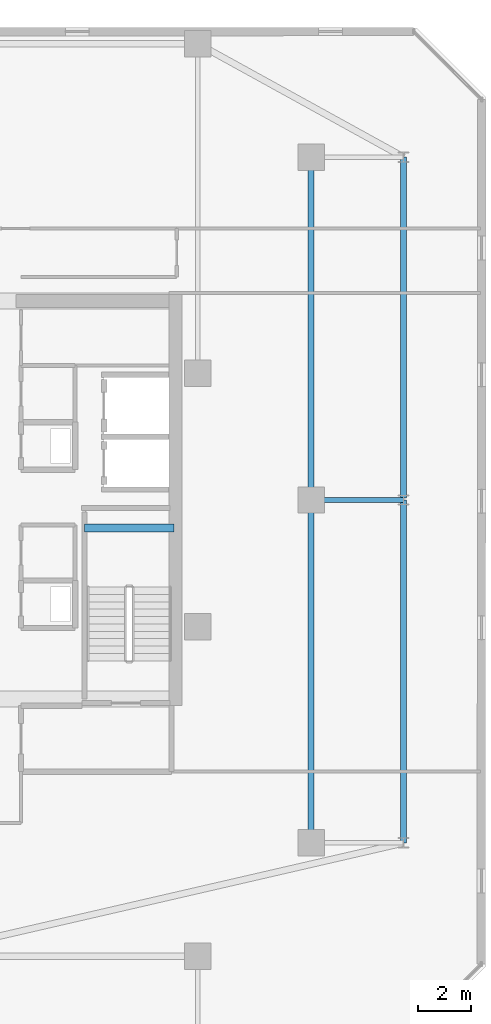
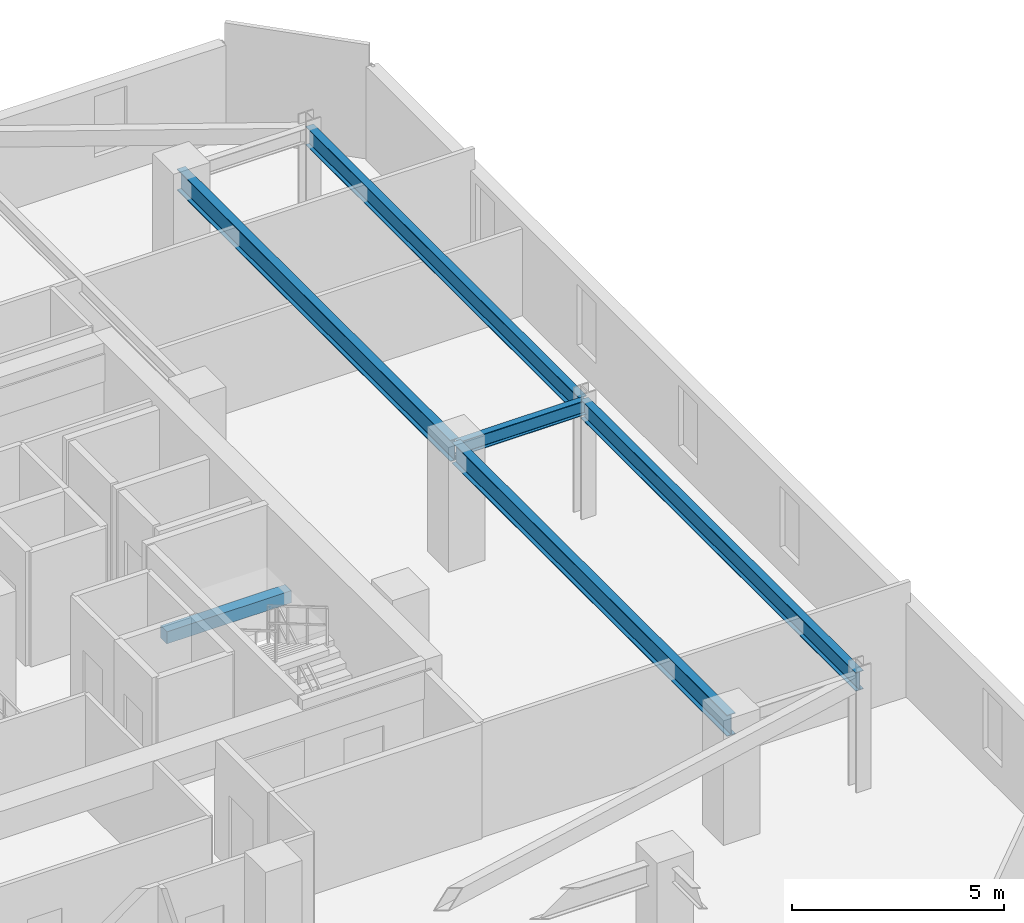
# One storey, part 13 of 29: 6 beams.
"""IFC4 building model written with IfcOpenShell, lengths in metres."""

from ifc_helpers import new_model, si_unit, direction, frame, origin, origin_2d, place, context, subcontext, project, spatial, rectangle, i_section, extrude, material, material_profile, profile_set, type_object, element, save


model = new_model("IFC4")

# Units and contexts
model_context = context("Model", 3, precision=1e-05, world=origin(), true_north=direction((0.0, 1.0)))
body_context = subcontext(model_context, "Body", "Model", "MODEL_VIEW")
ifc_project = project(units=[si_unit("LENGTHUNIT", "METRE"), si_unit("AREAUNIT", "SQUARE_METRE"), si_unit("VOLUMEUNIT", "CUBIC_METRE"), si_unit("PLANEANGLEUNIT", "RADIAN"), si_unit("MASSUNIT", "GRAM", prefix="KILO")], contexts=[model_context])

# Site, building, storey
site_placement = place(None, origin())
site = spatial("IfcSite", under=ifc_project, at=site_placement, CompositionType="ELEMENT")
building_placement = place(site_placement, origin())
building = spatial("IfcBuilding", under=site, at=building_placement, Name="Thornwick Lancets Civic Towers", CompositionType="ELEMENT")
storey_placement = place(building_placement, frame((0.0, 0.0, 229.5)))
storey = spatial("IfcBuildingStorey", under=building, at=storey_placement, Name="L61", CompositionType="ELEMENT", Elevation=229.5)

# Beams
ifc_material_1 = material(Name="Steel S355JR", Category="steel")
ifc_material_profile_1 = material_profile(ifc_material_1, i_section(OverallWidth=0.210693359375, OverallDepth=0.53955078125, WebThickness=0.01171875, FlangeThickness=0.018798828125, FilletRadius=0.0126953125, at=origin_2d()), Name="UKB 533x210x109")
ifc_profile_set_1 = profile_set([ifc_material_profile_1], Name="Steel S355JR")
beam_type_1 = type_object("IfcBeamType", Name="BM_EDGE_533_109", PredefinedType="SPANDREL", material=ifc_profile_set_1)
beam_1_placement = place(storey_placement, frame((109.300048828125, 14.0, 3.05029296875), z_axis=(0.0, 1.0, 0.0), x_axis=(-1.0, 0.0, 0.0)))
element("IfcBeam", 1, at=beam_1_placement, inside=storey, type_object=beam_type_1, Name="BM-EDGE-L61-B-S0-1", PredefinedType="SPANDREL", context=body_context, shape_type="SweptSolid", body=[
    extrude(i_section(OverallWidth=0.210693359375, OverallDepth=0.53955078125, WebThickness=0.01171875, FlangeThickness=0.018798828125, FilletRadius=0.0126953125, at=origin_2d()), origin(), (0.0, 0.0, 1.0), 13.0),
])
beam_2_placement = place(storey_placement, frame((109.300048828125, 27.080078125, 3.05029296875), z_axis=(0.0, 1.0, 0.0), x_axis=(-1.0, 0.0, 0.0)))
element("IfcBeam", 2, at=beam_2_placement, inside=storey, type_object=beam_type_1, Name="BM-EDGE-L61-B-S0-2", PredefinedType="SPANDREL", context=body_context, shape_type="SweptSolid", body=[
    extrude(i_section(OverallWidth=0.210693359375, OverallDepth=0.53955078125, WebThickness=0.01171875, FlangeThickness=0.018798828125, FilletRadius=0.0126953125, at=origin_2d()), origin(), (0.0, 0.0, 1.0), 12.919921875),
])
ifc_material_profile_2 = material_profile(ifc_material_1, i_section(OverallWidth=0.230224609375, OverallDepth=0.6171875, WebThickness=0.01318359375, FlangeThickness=0.022216796875, FilletRadius=0.0126953125, at=origin_2d()), Name="UKB 610x229x140")
ifc_profile_set_2 = profile_set([ifc_material_profile_2], Name="Steel S355JR")
beam_type_2 = type_object("IfcBeamType", Name="BM_GIRD_610_140", PredefinedType="BEAM", material=ifc_profile_set_2)
beam_3_placement = place(storey_placement, frame((105.800048828125, 14.0, 3.011474609375), z_axis=(0.0, 1.0, 0.0), x_axis=(-1.0, 0.0, 0.0)))
element("IfcBeam", 3, at=beam_3_placement, inside=storey, type_object=beam_type_2, Name="BM-SPINE-L61-B-0-1", PredefinedType="BEAM", context=body_context, shape_type="SweptSolid", body=[
    extrude(i_section(OverallWidth=0.230224609375, OverallDepth=0.6171875, WebThickness=0.01318359375, FlangeThickness=0.022216796875, FilletRadius=0.0126953125, at=origin_2d()), origin(), (0.0, 0.0, 1.0), 13.0),
])
beam_4_placement = place(storey_placement, frame((105.800048828125, 27.080078125, 3.011474609375), z_axis=(0.0, 1.0, 0.0), x_axis=(-1.0, 0.0, 0.0)))
element("IfcBeam", 4, at=beam_4_placement, inside=storey, type_object=beam_type_2, Name="BM-SPINE-L61-B-1-2", PredefinedType="BEAM", context=body_context, shape_type="SweptSolid", body=[
    extrude(i_section(OverallWidth=0.230224609375, OverallDepth=0.6171875, WebThickness=0.01318359375, FlangeThickness=0.022216796875, FilletRadius=0.0126953125, at=origin_2d()), origin(), (0.0, 0.0, 1.0), 12.919921875),
])
ifc_material_profile_3 = material_profile(ifc_material_1, i_section(OverallWidth=0.179443359375, OverallDepth=0.412841796875, WebThickness=0.009521484375, FlangeThickness=0.01611328125, FilletRadius=0.01025390625, at=origin_2d()), Name="UKB 406x178x74")
ifc_profile_set_3 = profile_set([ifc_material_profile_3], Name="Steel S355JR")
beam_type_3 = type_object("IfcBeamType", Name="BM_JOIST_406_74", PredefinedType="JOIST", material=ifc_profile_set_3)
beam_5_placement = place(storey_placement, frame((105.800048828125, 27.0, 3.113525390625), z_axis=(1.0, 0.0, 0.0), x_axis=(0.0, 1.0, 0.0)))
element("IfcBeam", 5, at=beam_5_placement, inside=storey, type_object=beam_type_3, Name="BM-RAD-L61-B02", PredefinedType="JOIST", context=body_context, shape_type="SweptSolid", body=[
    extrude(i_section(OverallWidth=0.179443359375, OverallDepth=0.412841796875, WebThickness=0.009521484375, FlangeThickness=0.01611328125, FilletRadius=0.01025390625, at=origin_2d()), origin(), (0.0, 0.0, 1.0), 3.5),
])
ifc_material_2 = material(Name="Concrete C40/50", Category="concrete")
ifc_material_profile_4 = material_profile(ifc_material_2, rectangle(XDim=0.300048828125, YDim=0.35009765625, at=origin_2d()), Name="RC 300x350")
ifc_profile_set_4 = profile_set([ifc_material_profile_4], Name="Concrete C40/50")
beam_type_4 = type_object("IfcBeamType", Name="BM_STAIR_LDG", PredefinedType="BEAM", material=ifc_profile_set_4)
beam_6_placement = place(storey_placement, frame((100.60009765625, 25.93505859375, 1.3779296875), z_axis=(-1.0, 0.0, 0.0), x_axis=(0.0, -1.0, 0.0)))
element("IfcBeam", 6, at=beam_6_placement, inside=storey, type_object=beam_type_4, Name="L61 ST-B1 Landing Support Beam 1", PredefinedType="BEAM", context=body_context, shape_type="SweptSolid", body=[
    extrude(rectangle(XDim=0.300048828125, YDim=0.35009765625, at=origin_2d()), origin(), (0.0, 0.0, 1.0), 3.400146484375),
])

save(model, "model.ifc")
